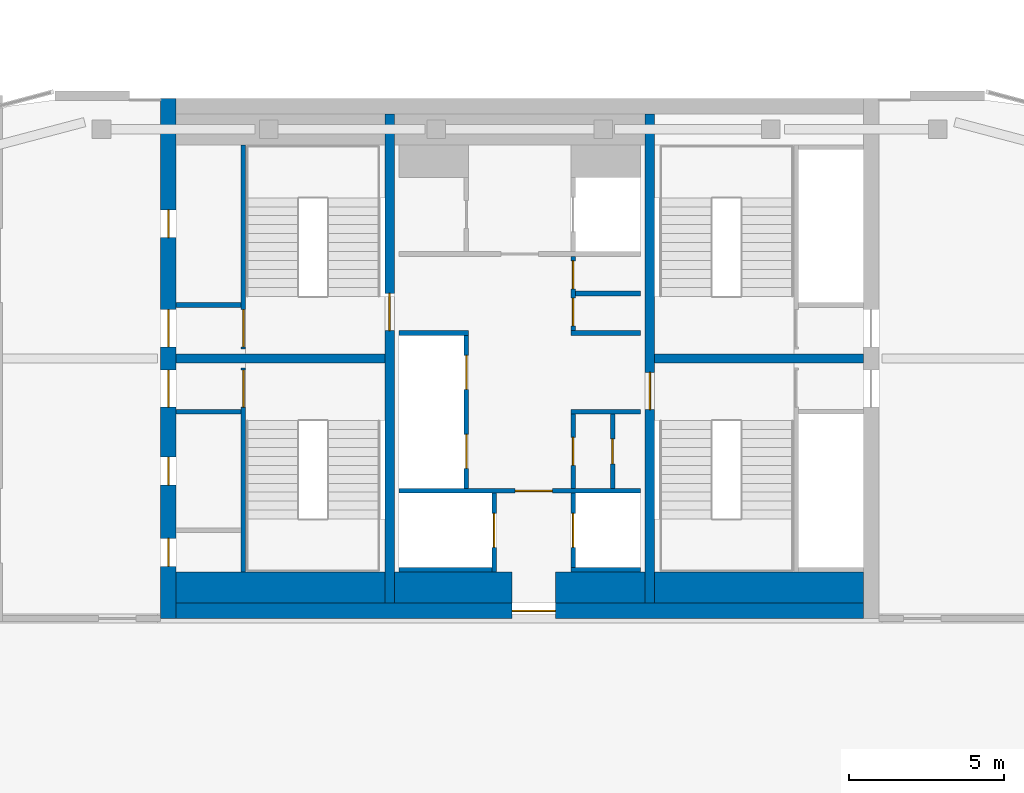
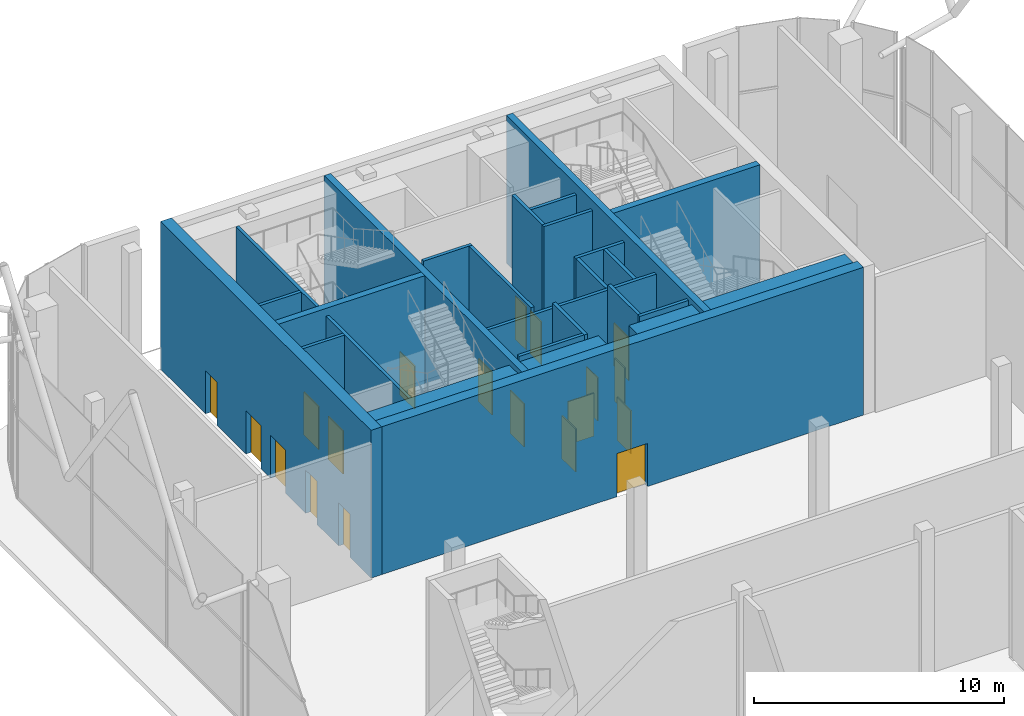
# One storey, part 21 of 25: 25 walls, 19 doors, 19 openings.
"""IFC4 building model written with IfcOpenShell, lengths in metres."""

import ifcopenshell
import ifcopenshell.guid

model = None  # the IFC model being written
_history = None  # IfcOwnerHistory: only IFC2X3 demands one
_inside = {}  # id of a spatial element -> (the spatial element, [elements in it])
_under = {}  # id of a project, library or spatial element -> (it, [spatial elements below it])
_declared = {}  # id of a project -> (the project, [libraries it declares])
_typed = {}  # id of a type object -> (the type object, [elements of that type])
_made_of = {}  # id of a material, layer set ... -> (it, [elements and type objects made of it])


def new_model(schema):
    """Start an empty IFC model of exactly this schema.

    Asked for "IFC4X3", IfcOpenShell would pick the latest addendum, in which some entities
    have other attributes; the version numbers below select the first issue.
    IFC2X3 requires an IfcOwnerHistory on every rooted entity: one is made here for all.
    """
    global model, _history
    if schema == "IFC4X3":
        model = ifcopenshell.file(schema_version=(4, 3, 0, 0))
    else:
        model = ifcopenshell.file(schema=schema)
    _inside.clear()
    _under.clear()
    _declared.clear()
    _typed.clear()
    _made_of.clear()
    _history = None
    if model.schema == "IFC2X3":
        org = make("IfcOrganization", Name="unknown")
        user = make(
            "IfcPersonAndOrganization",
            ThePerson=make("IfcPerson", FamilyName="unknown"),
            TheOrganization=org,
        )
        app = make(
            "IfcApplication",
            ApplicationDeveloper=org,
            Version="unknown",
            ApplicationFullName="unknown",
            ApplicationIdentifier="unknown",
        )
        _history = make(
            "IfcOwnerHistory",
            OwningUser=user,
            OwningApplication=app,
            ChangeAction="ADDED",
            CreationDate=0,
        )
    return model


def make(cls, **values):
    """One entity of the class cls with the attributes given. An attribute that is None is left unset."""
    return model.create_entity(
        cls, **{name: value for name, value in values.items() if value is not None}
    )


def rooted(cls, **values):
    """An entity with a GlobalId (a new one), such as an element, a storey or a relation."""
    return make(cls, GlobalId=ifcopenshell.guid.new(), OwnerHistory=_history, **values)


def si_unit(unit_type, name, prefix=None):
    """IfcSIUnit, for example si_unit("LENGTHUNIT", "METRE", prefix="MILLI")."""
    return make("IfcSIUnit", UnitType=unit_type, Prefix=prefix, Name=name)


def assignment(units):
    """IfcUnitAssignment: the units of a project."""
    return None if units is None else make("IfcUnitAssignment", Units=units)


def point(xyz):
    """IfcCartesianPoint."""
    return None if xyz is None else make("IfcCartesianPoint", Coordinates=xyz)


def direction(xyz):
    """IfcDirection."""
    return None if xyz is None else make("IfcDirection", DirectionRatios=xyz)


def frame(location, z_axis=None, x_axis=None):
    """IfcAxis2Placement3D, a coordinate frame: its origin and axes. An axis left out is left unset."""
    return make(
        "IfcAxis2Placement3D",
        Location=point(location),
        Axis=direction(z_axis),
        RefDirection=direction(x_axis),
    )


def frame_2d(location, x_axis=None):
    """IfcAxis2Placement2D, a coordinate frame in the plane: its origin and x axis."""
    return make(
        "IfcAxis2Placement2D", Location=point(location), RefDirection=direction(x_axis)
    )


def origin():
    """The frame at (0, 0, 0) with its axes left unset."""
    return frame((0.0, 0.0, 0.0))


def place(relative_to, where):
    """IfcLocalPlacement: puts the frame where relative to a parent placement (None: the world)."""
    return make(
        "IfcLocalPlacement", PlacementRelTo=relative_to, RelativePlacement=where
    )


def context(
    kind, dimensions, precision=None, world=None, true_north=None, identifier=None
):
    """IfcGeometricRepresentationContext, for example the 3D "Model" context."""
    return make(
        "IfcGeometricRepresentationContext",
        ContextIdentifier=identifier,
        ContextType=kind,
        CoordinateSpaceDimension=dimensions,
        Precision=precision,
        WorldCoordinateSystem=world,
        TrueNorth=true_north,
    )


def subcontext(parent, identifier, kind, view, scale=None):
    """IfcGeometricRepresentationSubContext, for example "Body" below "Model"."""
    return make(
        "IfcGeometricRepresentationSubContext",
        ContextIdentifier=identifier,
        ContextType=kind,
        ParentContext=parent,
        TargetScale=scale,
        TargetView=view,
    )


def project(units=None, contexts=None):
    """IfcProject with its units and contexts."""
    return rooted(
        "IfcProject",
        Name="project",
        RepresentationContexts=contexts,
        UnitsInContext=assignment(units),
    )


def spatial(cls, under=None, at=None, **own):
    """A site, building, storey or space (cls), placed at a placement, below another one or the project."""
    s = rooted(cls, ObjectPlacement=at, **own)
    if under is not None:
        _under.setdefault(under.id(), (under, []))[1].append(s)
    return s


def profile(cls, at=None, kind="AREA", **sizes):
    """A parametric profile (cls). Its sizes go by their IFC names, for example OverallWidth=200.0."""
    return make(cls, ProfileType=kind, Position=at, **sizes)


def rectangle(**sizes):
    """IfcRectangleProfileDef."""
    return profile("IfcRectangleProfileDef", **sizes)


def extrude(swept, where, along, depth):
    """IfcExtrudedAreaSolid: the profile swept, set in the frame where, extruded along a direction by depth."""
    return make(
        "IfcExtrudedAreaSolid",
        SweptArea=swept,
        Position=where,
        ExtrudedDirection=direction(along),
        Depth=depth,
    )


def shape(context_of_items, identifier, shape_type, items):
    """IfcShapeRepresentation: the items that make up one representation, for example the "Body"."""
    return make(
        "IfcShapeRepresentation",
        ContextOfItems=context_of_items,
        RepresentationIdentifier=identifier,
        RepresentationType=shape_type,
        Items=items,
    )


def material(Name=None, Category=None):
    """IfcMaterial."""
    return make("IfcMaterial", Name=Name, Category=Category)


def layer(
    of_material, thickness, ventilated=None, Name=None, Category=None, Priority=None
):
    """IfcMaterialLayer: one layer of a wall or slab, of a material (None: an air gap)."""
    return make(
        "IfcMaterialLayer",
        Material=of_material,
        LayerThickness=thickness,
        IsVentilated=ventilated,
        Name=Name,
        Category=Category,
        Priority=Priority,
    )


def layer_set(layers, Name=None):
    """IfcMaterialLayerSet."""
    return make("IfcMaterialLayerSet", MaterialLayers=layers, LayerSetName=Name)


def made_of(thing, what):
    """Note that an element or type object is made of a material, layer set ...; save() writes the relation."""
    if what is not None:
        _made_of.setdefault(what.id(), (what, []))[1].append(thing)
    return thing


def type_object(cls, material=None, **own):
    """A type object (cls), such as IfcWallType, which elements share."""
    return made_of(rooted(cls, **own), material)


def element(
    cls,
    number,
    at=None,
    inside=None,
    cuts=None,
    type_object=None,
    material=None,
    context=None,
    identifier="Body",
    shape_type=None,
    held_by="IfcProductDefinitionShape",
    body=None,
    shapes=None,
    **own,
):
    """One element of the class cls, such as IfcWall. Its Tag is "e" and its number.

    at: its placement. inside: the storey or other place that contains it. cuts: it is an
    opening in that element (IfcRelVoidsElement). A single representation is given by context,
    identifier, shape_type and body (its items); several are given by shapes. held_by: the class
    of the entity that holds the representations. save() writes the other relations.
    """
    e = rooted(cls, Tag="e%d" % number, ObjectPlacement=at, **own)
    if body is not None:
        shapes = [shape(context, identifier, shape_type, body)]
    if shapes is not None:
        e.Representation = make(held_by, Representations=shapes)
    if inside is not None:
        _inside.setdefault(inside.id(), (inside, []))[1].append(e)
    if cuts is not None:
        rooted(
            "IfcRelVoidsElement", RelatingBuildingElement=cuts, RelatedOpeningElement=e
        )
    if type_object is not None:
        _typed.setdefault(type_object.id(), (type_object, []))[1].append(e)
    return made_of(e, material)


def fill(opening, filler):
    """IfcRelFillsElement: the door or window that sits in an opening."""
    return rooted(
        "IfcRelFillsElement",
        RelatingOpeningElement=opening,
        RelatedBuildingElement=filler,
    )


def aggregate(whole, parts):
    """IfcRelAggregates: a whole, such as a stair, and the parts it consists of."""
    return rooted("IfcRelAggregates", RelatingObject=whole, RelatedObjects=parts)


def save(model, path):
    """Write the relations noted so far, then the file.

    IfcRelAggregates (storeys below a building ...), IfcRelContainedInSpatialStructure (elements
    in a storey), IfcRelDefinesByType, IfcRelAssociatesMaterial and IfcRelDeclares: one each for
    every whole, place, type object, material and project.
    """
    for whole, parts in _under.values():
        aggregate(whole, parts)
    for where, things in _inside.values():
        rooted(
            "IfcRelContainedInSpatialStructure",
            RelatedElements=things,
            RelatingStructure=where,
        )
    for kind, things in _typed.values():
        rooted("IfcRelDefinesByType", RelatedObjects=things, RelatingType=kind)
    for what, things in _made_of.values():
        rooted("IfcRelAssociatesMaterial", RelatedObjects=things, RelatingMaterial=what)
    for by, libraries in _declared.values():
        rooted("IfcRelDeclares", RelatingContext=by, RelatedDefinitions=libraries)
    model.write(path)


model = new_model("IFC4")

# Units and contexts
model_context = context("Model", 3, precision=1e-05, world=origin(), true_north=direction((0.0, 1.0)))
body_context = subcontext(model_context, "Body", "Model", "MODEL_VIEW")
ifc_project = project(units=[si_unit("LENGTHUNIT", "METRE"), si_unit("AREAUNIT", "SQUARE_METRE"), si_unit("VOLUMEUNIT", "CUBIC_METRE"), si_unit("PLANEANGLEUNIT", "RADIAN"), si_unit("MASSUNIT", "GRAM", prefix="KILO")], contexts=[model_context])

# Site, building, storey
site_placement = place(None, origin())
site = spatial("IfcSite", under=ifc_project, at=site_placement, CompositionType="ELEMENT")
building_placement = place(site_placement, origin())
building = spatial("IfcBuilding", under=site, at=building_placement, Name="Marenta Gate Hotel Tower", CompositionType="ELEMENT")
storey_placement = place(building_placement, frame((0.0, 0.0, 281.300048828125)))
storey = spatial("IfcBuildingStorey", under=building, at=storey_placement, Name="L65", CompositionType="ELEMENT", Elevation=281.300048828125)

# Walls
ifc_material_1 = material(Name="Concrete C40", Category="concrete")
ifc_layer_1 = layer(ifc_material_1, 1.0)
ifc_layer_set_1 = layer_set([ifc_layer_1], Name="Concrete C40")
wall_type_1 = type_object("IfcWallType", Name="Core lining wall 1000 REI 180", PredefinedType="PARTITIONING", material=ifc_layer_set_1)
wall_1_placement = place(storey_placement, frame((-11.10009765625, 1.0, 0.0), z_axis=(0.0, 0.0, 1.0), x_axis=(1.0, 0.0, 0.0)))
element("IfcWall", 1, at=wall_1_placement, inside=storey, type_object=wall_type_1, Name="L65-CP-LN-S1", PredefinedType="PARTITIONING", context=body_context, shape_type="SweptSolid", body=[
    extrude(rectangle(XDim=10.85009765625, YDim=1.0, at=frame_2d((5.425048828125, 0.0))), origin(), (0.0, 0.0, 1.0), 6.93994140625),
])
wall_2_placement = place(storey_placement, frame((1.14990234375, 1.0, 0.0), z_axis=(0.0, 0.0, 1.0), x_axis=(1.0, 0.0, 0.0)))
element("IfcWall", 2, at=wall_2_placement, inside=storey, type_object=wall_type_1, Name="L65-CP-LN-S2", PredefinedType="PARTITIONING", context=body_context, shape_type="SweptSolid", body=[
    extrude(rectangle(XDim=9.9501953125, YDim=1.0, at=frame_2d((4.97509765625, 0.0))), origin(), (0.0, 0.0, 1.0), 6.93994140625),
])

# Wall, opening, door
ifc_material_2 = material(Name="Concrete blockwork", Category="masonry")
ifc_layer_2 = layer(ifc_material_2, 0.14990234375)
ifc_layer_set_2 = layer_set([ifc_layer_2], Name="Concrete blockwork")
wall_type_2 = type_object("IfcWallType", Name="Core lobby partition 150 REI 180", PredefinedType="PARTITIONING", material=ifc_layer_set_2)
wall_3_placement = place(storey_placement, frame((-3.89990234375, 4.125, 0.0), z_axis=(0.0, 0.0, 1.0), x_axis=(1.0, 0.0, 0.0)))
wall_3 = element("IfcWall", 3, at=wall_3_placement, inside=storey, type_object=wall_type_2, Name="L65-CP-CW-S", PredefinedType="PARTITIONING", context=body_context, shape_type="SweptSolid", body=[
    extrude(rectangle(XDim=7.7998046875, YDim=0.14990234375, at=frame_2d((3.89990234375, 0.0))), origin(), (0.0, 0.0, 1.0), 6.93994140625),
])
opening_1_placement = place(wall_3_placement, frame((3.75, 0.0, 0.0)))
opening_1 = element("IfcOpeningElement", 4, at=opening_1_placement, cuts=wall_3, Name="Opening FD-FFS", PredefinedType="OPENING", context=body_context, shape_type="SweptSolid", body=[
    extrude(rectangle(XDim=1.199951171875, YDim=2.10009765625, at=frame_2d((0.60009765625, 1.050048828125))), frame((0.0, 0.074951171875, 0.0), z_axis=(0.0, -1.0, 0.0), x_axis=(1.0, 0.0, 0.0)), (0.0, 0.0, 1.0), 0.14990234375),
])
ifc_material_3 = material(Name="Steel", Category="steel")
door_type_1 = type_object("IfcDoorType", Name="Core lobby door 1200x2100 FD60", OperationType="SINGLE_SWING_LEFT", PredefinedType="DOOR", material=ifc_material_3)
door_1_placement = place(opening_1_placement, origin())
door_1 = element("IfcDoor", 5, at=door_1_placement, inside=storey, type_object=door_type_1, Name="FD-FFS", OperationType="SINGLE_SWING_LEFT", OverallHeight=2.10009765625, OverallWidth=1.199951171875, PredefinedType="DOOR", context=body_context, shape_type="SweptSolid", body=[
    extrude(rectangle(XDim=1.199951171875, YDim=2.10009765625, at=frame_2d((0.60009765625, 1.050048828125))), frame((0.0, 0.02490234375, 0.0), z_axis=(0.0, -1.0, 0.0), x_axis=(1.0, 0.0, 0.0)), (0.0, 0.0, 1.0), 0.050048828125),
])
fill(opening_1, door_1)

# Walls
ifc_material_4 = material(Name="Concrete blockwork", Category="masonry")
ifc_layer_3 = layer(ifc_material_4, 0.14990234375)
ifc_layer_set_3 = layer_set([ifc_layer_3], Name="Concrete blockwork")
wall_type_3 = type_object("IfcWallType", Name="Core room partition 150 REI 180", PredefinedType="PARTITIONING", material=ifc_layer_set_3)
for number, where, z_axis, x_axis, name in (
    (6, (-11.10009765625, 6.675048828125, 0.0), (0.0, 0.0, 1.0), (1.0, 0.0, 0.0), "L65-CP-SW-WS-2"),
    (7, (-11.10009765625, 10.125, 0.0), (0.0, 0.0, 1.0), (1.0, 0.0, 0.0), "L65-CP-SW-WN-2"),
):
    element("IfcWall", number, at=place(storey_placement, frame(where, z_axis=z_axis, x_axis=x_axis)), inside=storey, type_object=wall_type_3, Name=name, PredefinedType="PARTITIONING", context=body_context, shape_type="SweptSolid", body=[
        extrude(rectangle(XDim=2.10009765625, YDim=0.14990234375, at=frame_2d((1.050048828125, 0.0))), origin(), (0.0, 0.0, 1.0), 6.93994140625),
    ])
for number, where, z_axis, x_axis, name in (
    (8, (1.64990234375, 6.675048828125, 0.0), (0.0, 0.0, 1.0), (1.0, 0.0, 0.0), "L65-CP-CE-sep1"),
    (9, (1.64990234375, 9.22509765625, 0.0), (0.0, 0.0, 1.0), (1.0, 0.0, 0.0), "L65-CP-CE-sep2"),
):
    element("IfcWall", number, at=place(storey_placement, frame(where, z_axis=z_axis, x_axis=x_axis)), inside=storey, type_object=wall_type_3, Name=name, PredefinedType="PARTITIONING", context=body_context, shape_type="SweptSolid", body=[
        extrude(rectangle(XDim=2.25, YDim=0.14990234375, at=frame_2d((1.125, 0.0))), origin(), (0.0, 0.0, 1.0), 6.93994140625),
    ])

# Wall, opening, door
wall_4_placement = place(storey_placement, frame((1.72509765625, 4.199951171875, 0.0), z_axis=(0.0, 0.0, 1.0), x_axis=(0.0, 1.0, 0.0)))
wall_4 = element("IfcWall", 10, at=wall_4_placement, inside=storey, type_object=wall_type_3, Name="L65-CP-CE-front-1", PredefinedType="PARTITIONING", context=body_context, shape_type="SweptSolid", body=[
    extrude(rectangle(XDim=2.400146484375, YDim=0.14990234375, at=frame_2d((1.2001953125, 0.0))), origin(), (0.0, 0.0, 1.0), 6.93994140625),
])
opening_2_placement = place(wall_4_placement, frame((0.75, 0.0, 0.0)))
opening_2 = element("IfcOpeningElement", 11, at=opening_2_placement, cuts=wall_4, Name="Opening RD-CE-1a", PredefinedType="OPENING", context=body_context, shape_type="SweptSolid", body=[
    extrude(rectangle(XDim=0.89990234375, YDim=2.10009765625, at=frame_2d((0.449951171875, 1.050048828125))), frame((0.0, 0.074951171875, 0.0), z_axis=(0.0, -1.0, 0.0), x_axis=(1.0, 0.0, 0.0)), (0.0, 0.0, 1.0), 0.14990234375),
])
ifc_material_5 = material(Name="Steel", Category="steel")
door_type_2 = type_object("IfcDoorType", Name="Core service room door 900x2100 FD30S", OperationType="SINGLE_SWING_LEFT", PredefinedType="DOOR", material=ifc_material_5)
door_2_placement = place(opening_2_placement, origin())
door_2 = element("IfcDoor", 12, at=door_2_placement, inside=storey, type_object=door_type_2, Name="RD-CE-1a", OperationType="SINGLE_SWING_LEFT", OverallHeight=2.10009765625, OverallWidth=0.89990234375, PredefinedType="DOOR", context=body_context, shape_type="SweptSolid", body=[
    extrude(rectangle(XDim=0.89990234375, YDim=2.10009765625, at=frame_2d((0.449951171875, 1.050048828125))), frame((0.0, 0.02490234375, 0.0), z_axis=(0.0, -1.0, 0.0), x_axis=(1.0, 0.0, 0.0)), (0.0, 0.0, 1.0), 0.050048828125),
])
fill(opening_2, door_2)

# Wall, openings, doors
wall_5_placement = place(storey_placement, frame((1.72509765625, 9.300048828125, 0.0), z_axis=(0.0, 0.0, 1.0), x_axis=(0.0, 1.0, 0.0)))
wall_5 = element("IfcWall", 13, at=wall_5_placement, inside=storey, type_object=wall_type_3, Name="L65-CP-CE-front-2", PredefinedType="PARTITIONING", context=body_context, shape_type="SweptSolid", body=[
    extrude(rectangle(XDim=2.39990234375, YDim=0.14990234375, at=frame_2d((1.199951171875, 0.0))), origin(), (0.0, 0.0, 1.0), 6.93994140625),
])
opening_3_placement = place(wall_5_placement, frame((0.14990234375, 0.0, 0.0)))
opening_3 = element("IfcOpeningElement", 14, at=opening_3_placement, cuts=wall_5, Name="Opening RD-CE-2a", PredefinedType="OPENING", context=body_context, shape_type="SweptSolid", body=[
    extrude(rectangle(XDim=0.89990234375, YDim=2.10009765625, at=frame_2d((0.449951171875, 1.050048828125))), frame((0.0, 0.074951171875, 0.0), z_axis=(0.0, -1.0, 0.0), x_axis=(1.0, 0.0, 0.0)), (0.0, 0.0, 1.0), 0.14990234375),
])
opening_4_placement = place(wall_5_placement, frame((1.35009765625, 0.0, 0.0)))
opening_4 = element("IfcOpeningElement", 15, at=opening_4_placement, cuts=wall_5, Name="Opening RD-CE-2b-B", PredefinedType="OPENING", context=body_context, shape_type="SweptSolid", body=[
    extrude(rectangle(XDim=0.89990234375, YDim=2.10009765625, at=frame_2d((0.449951171875, 1.050048828125))), frame((0.0, 0.074951171875, 0.0), z_axis=(0.0, -1.0, 0.0), x_axis=(1.0, 0.0, 0.0)), (0.0, 0.0, 1.0), 0.14990234375),
])
door_3_placement = place(opening_3_placement, origin())
door_3 = element("IfcDoor", 16, at=door_3_placement, inside=storey, type_object=door_type_2, Name="RD-CE-2a", OperationType="SINGLE_SWING_LEFT", OverallHeight=2.10009765625, OverallWidth=0.89990234375, PredefinedType="DOOR", context=body_context, shape_type="SweptSolid", body=[
    extrude(rectangle(XDim=0.89990234375, YDim=2.10009765625, at=frame_2d((0.449951171875, 1.050048828125))), frame((0.0, 0.02490234375, 0.0), z_axis=(0.0, -1.0, 0.0), x_axis=(1.0, 0.0, 0.0)), (0.0, 0.0, 1.0), 0.050048828125),
])
fill(opening_3, door_3)
door_4_placement = place(opening_4_placement, origin())
door_4 = element("IfcDoor", 17, at=door_4_placement, inside=storey, type_object=door_type_2, Name="RD-CE-2b-B", OperationType="SINGLE_SWING_LEFT", OverallHeight=2.10009765625, OverallWidth=0.89990234375, PredefinedType="DOOR", context=body_context, shape_type="SweptSolid", body=[
    extrude(rectangle(XDim=0.89990234375, YDim=2.10009765625, at=frame_2d((0.449951171875, 1.050048828125))), frame((0.0, 0.02490234375, 0.0), z_axis=(0.0, -1.0, 0.0), x_axis=(1.0, 0.0, 0.0)), (0.0, 0.0, 1.0), 0.050048828125),
])
fill(opening_4, door_4)

# Wall, opening, door
wall_6_placement = place(storey_placement, frame((3.0, 4.199951171875, 0.0), z_axis=(0.0, 0.0, 1.0), x_axis=(0.0, 1.0, 0.0)))
wall_6 = element("IfcWall", 18, at=wall_6_placement, inside=storey, type_object=wall_type_3, Name="L65-CP-CE-RW-1", PredefinedType="PARTITIONING", context=body_context, shape_type="SweptSolid", body=[
    extrude(rectangle(XDim=2.400146484375, YDim=0.14990234375, at=frame_2d((1.2001953125, 0.0))), origin(), (0.0, 0.0, 1.0), 6.93994140625),
])
opening_5_placement = place(wall_6_placement, frame((0.800048828125, 0.0, 0.0)))
opening_5 = element("IfcOpeningElement", 19, at=opening_5_placement, cuts=wall_6, Name="Opening RD-CE-1b-A", PredefinedType="OPENING", context=body_context, shape_type="SweptSolid", body=[
    extrude(rectangle(XDim=0.800048828125, YDim=2.10009765625, at=frame_2d((0.39990234375, 1.050048828125))), frame((0.0, 0.074951171875, 0.0), z_axis=(0.0, -1.0, 0.0), x_axis=(1.0, 0.0, 0.0)), (0.0, 0.0, 1.0), 0.14990234375),
])
ifc_material_6 = material(Name="Steel", Category="steel")
door_type_3 = type_object("IfcDoorType", Name="Core riser door 800x2100 FD60", OperationType="SINGLE_SWING_LEFT", PredefinedType="DOOR", material=ifc_material_6)
door_5_placement = place(opening_5_placement, origin())
door_5 = element("IfcDoor", 20, at=door_5_placement, inside=storey, type_object=door_type_3, Name="RD-CE-1b-A", OperationType="SINGLE_SWING_LEFT", OverallHeight=2.10009765625, OverallWidth=0.800048828125, PredefinedType="DOOR", context=body_context, shape_type="SweptSolid", body=[
    extrude(rectangle(XDim=0.800048828125, YDim=2.10009765625, at=frame_2d((0.39990234375, 1.050048828125))), frame((0.0, 0.02490234375, 0.0), z_axis=(0.0, -1.0, 0.0), x_axis=(1.0, 0.0, 0.0)), (0.0, 0.0, 1.0), 0.050048828125),
])
fill(opening_5, door_5)

# Wall
wall_7_placement = place(storey_placement, frame((1.800048828125, 10.5, 0.0), z_axis=(0.0, 0.0, 1.0), x_axis=(1.0, 0.0, 0.0)))
element("IfcWall", 21, at=wall_7_placement, inside=storey, type_object=wall_type_3, Name="L65-CP-CE-RW-2", PredefinedType="PARTITIONING", context=body_context, shape_type="SweptSolid", body=[
    extrude(rectangle(XDim=2.099853515625, YDim=0.14990234375, at=frame_2d((1.0498046875, 0.0))), origin(), (0.0, 0.0, 1.0), 6.93994140625),
])

# Wall, opening, door
ifc_material_7 = material(Name="Concrete C40", Category="concrete")
ifc_layer_4 = layer(ifc_material_7, 0.14990234375)
ifc_layer_set_4 = layer_set([ifc_layer_4], Name="Concrete C40")
wall_type_4 = type_object("IfcWallType", Name="Core shaft wall 150 REI 180", PredefinedType="SHEAR", material=ifc_layer_set_4)
wall_8_placement = place(storey_placement, frame((-0.824951171875, 1.5, 0.0), z_axis=(0.0, 0.0, 1.0), x_axis=(0.0, 1.0, 0.0)))
wall_8 = element("IfcWall", 22, at=wall_8_placement, inside=storey, type_object=wall_type_4, Name="L65-SHF-CW-W-ff", PredefinedType="SHEAR", context=body_context, shape_type="SweptSolid", body=[
    extrude(rectangle(XDim=2.550048828125, YDim=0.14990234375, at=frame_2d((1.27490234375, 0.0))), origin(), (0.0, 0.0, 1.0), 7.199951171875),
])
opening_6_placement = place(wall_8_placement, frame((0.800048828125, 0.0, 0.0)))
opening_6 = element("IfcOpeningElement", 23, at=opening_6_placement, cuts=wall_8, Name="Opening LD-FF1", PredefinedType="OPENING", context=body_context, shape_type="SweptSolid", body=[
    extrude(rectangle(XDim=1.10009765625, YDim=2.10009765625, at=frame_2d((0.550048828125, 1.050048828125))), frame((0.0, 0.074951171875, 0.0), z_axis=(0.0, -1.0, 0.0), x_axis=(1.0, 0.0, 0.0)), (0.0, 0.0, 1.0), 0.14990234375),
])
ifc_material_8 = material(Name="Steel", Category="steel")
door_type_4 = type_object("IfcDoorType", Name="Core lift landing door 1100x2100 E 60", OperationType="SLIDING_TO_LEFT", PredefinedType="DOOR", material=ifc_material_8)
door_6_placement = place(opening_6_placement, origin())
door_6 = element("IfcDoor", 24, at=door_6_placement, inside=storey, type_object=door_type_4, Name="LD-FF1", OperationType="SLIDING_TO_LEFT", OverallHeight=2.10009765625, OverallWidth=1.10009765625, PredefinedType="DOOR", context=body_context, shape_type="SweptSolid", body=[
    extrude(rectangle(XDim=1.10009765625, YDim=2.10009765625, at=frame_2d((0.550048828125, 1.050048828125))), frame((0.0, 0.02490234375, 0.0), z_axis=(0.0, -1.0, 0.0), x_axis=(1.0, 0.0, 0.0)), (0.0, 0.0, 1.0), 0.050048828125),
])
fill(opening_6, door_6)

# Wall
wall_9_placement = place(storey_placement, frame((-3.89990234375, 1.574951171875, 0.0), z_axis=(0.0, 0.0, 1.0), x_axis=(1.0, 0.0, 0.0)))
element("IfcWall", 25, at=wall_9_placement, inside=storey, type_object=wall_type_4, Name="L65-SHF-CW-W-ffs", PredefinedType="SHEAR", context=body_context, shape_type="SweptSolid", body=[
    extrude(rectangle(XDim=3.0, YDim=0.14990234375, at=frame_2d((1.5, 0.0))), origin(), (0.0, 0.0, 1.0), 7.199951171875),
])

# Wall, openings, doors
wall_10_placement = place(storey_placement, frame((-1.72509765625, 4.199951171875, 0.0), z_axis=(0.0, 0.0, 1.0), x_axis=(0.0, 1.0, 0.0)))
wall_10 = element("IfcWall", 26, at=wall_10_placement, inside=storey, type_object=wall_type_4, Name="L65-SHF-CW-W-front", PredefinedType="SHEAR", context=body_context, shape_type="SweptSolid", body=[
    extrude(rectangle(XDim=4.949951171875, YDim=0.14990234375, at=frame_2d((2.47509765625, 0.0))), origin(), (0.0, 0.0, 1.0), 7.199951171875),
])
opening_7_placement = place(wall_10_placement, frame((0.64990234375, 0.0, 0.0)))
opening_7 = element("IfcOpeningElement", 27, at=opening_7_placement, cuts=wall_10, Name="Opening LD-OB1", PredefinedType="OPENING", context=body_context, shape_type="SweptSolid", body=[
    extrude(rectangle(XDim=1.10009765625, YDim=2.10009765625, at=frame_2d((0.550048828125, 1.050048828125))), frame((0.0, 0.074951171875, 0.0), z_axis=(0.0, -1.0, 0.0), x_axis=(1.0, 0.0, 0.0)), (0.0, 0.0, 1.0), 0.14990234375),
])
opening_8_placement = place(wall_10_placement, frame((3.199951171875, 0.0, 0.0)))
opening_8 = element("IfcOpeningElement", 28, at=opening_8_placement, cuts=wall_10, Name="Opening LD-OB2", PredefinedType="OPENING", context=body_context, shape_type="SweptSolid", body=[
    extrude(rectangle(XDim=1.10009765625, YDim=2.10009765625, at=frame_2d((0.550048828125, 1.050048828125))), frame((0.0, 0.074951171875, 0.0), z_axis=(0.0, -1.0, 0.0), x_axis=(1.0, 0.0, 0.0)), (0.0, 0.0, 1.0), 0.14990234375),
])
door_7_placement = place(opening_7_placement, origin())
door_7 = element("IfcDoor", 29, at=door_7_placement, inside=storey, type_object=door_type_4, Name="LD-OB1", OperationType="SLIDING_TO_LEFT", OverallHeight=2.10009765625, OverallWidth=1.10009765625, PredefinedType="DOOR", context=body_context, shape_type="SweptSolid", body=[
    extrude(rectangle(XDim=1.10009765625, YDim=2.10009765625, at=frame_2d((0.550048828125, 1.050048828125))), frame((0.0, 0.02490234375, 0.0), z_axis=(0.0, -1.0, 0.0), x_axis=(1.0, 0.0, 0.0)), (0.0, 0.0, 1.0), 0.050048828125),
])
fill(opening_7, door_7)
door_8_placement = place(opening_8_placement, origin())
door_8 = element("IfcDoor", 30, at=door_8_placement, inside=storey, type_object=door_type_4, Name="LD-OB2", OperationType="SLIDING_TO_LEFT", OverallHeight=2.10009765625, OverallWidth=1.10009765625, PredefinedType="DOOR", context=body_context, shape_type="SweptSolid", body=[
    extrude(rectangle(XDim=1.10009765625, YDim=2.10009765625, at=frame_2d((0.550048828125, 1.050048828125))), frame((0.0, 0.02490234375, 0.0), z_axis=(0.0, -1.0, 0.0), x_axis=(1.0, 0.0, 0.0)), (0.0, 0.0, 1.0), 0.050048828125),
])
fill(opening_8, door_8)

# Wall
wall_11_placement = place(storey_placement, frame((-3.89990234375, 9.22509765625, 0.0), z_axis=(0.0, 0.0, 1.0), x_axis=(1.0, 0.0, 0.0)))
element("IfcWall", 31, at=wall_11_placement, inside=storey, type_object=wall_type_4, Name="L65-SHF-CW-W-sep", PredefinedType="SHEAR", context=body_context, shape_type="SweptSolid", body=[
    extrude(rectangle(XDim=2.25, YDim=0.14990234375, at=frame_2d((1.125, 0.0))), origin(), (0.0, 0.0, 1.0), 7.199951171875),
])

# Wall, opening, door
wall_12_placement = place(storey_placement, frame((1.72509765625, 1.64990234375, 0.0), z_axis=(0.0, 0.0, 1.0), x_axis=(0.0, 1.0, 0.0)))
wall_12 = element("IfcWall", 32, at=wall_12_placement, inside=storey, type_object=wall_type_4, Name="L65-SHF-CE-S-ls", PredefinedType="SHEAR", context=body_context, shape_type="SweptSolid", body=[
    extrude(rectangle(XDim=2.400146484375, YDim=0.14990234375, at=frame_2d((1.2001953125, 0.0))), origin(), (0.0, 0.0, 1.0), 7.199951171875),
])
opening_9_placement = place(wall_12_placement, frame((0.64990234375, 0.0, 0.0)))
opening_9 = element("IfcOpeningElement", 33, at=opening_9_placement, cuts=wall_12, Name="Opening LD-SV1", PredefinedType="OPENING", context=body_context, shape_type="SweptSolid", body=[
    extrude(rectangle(XDim=1.10009765625, YDim=2.10009765625, at=frame_2d((0.550048828125, 1.050048828125))), frame((0.0, 0.074951171875, 0.0), z_axis=(0.0, -1.0, 0.0), x_axis=(1.0, 0.0, 0.0)), (0.0, 0.0, 1.0), 0.14990234375),
])
door_9_placement = place(opening_9_placement, origin())
door_9 = element("IfcDoor", 34, at=door_9_placement, inside=storey, type_object=door_type_4, Name="LD-SV1", OperationType="SLIDING_TO_LEFT", OverallHeight=2.10009765625, OverallWidth=1.10009765625, PredefinedType="DOOR", context=body_context, shape_type="SweptSolid", body=[
    extrude(rectangle(XDim=1.10009765625, YDim=2.10009765625, at=frame_2d((0.550048828125, 1.050048828125))), frame((0.0, 0.02490234375, 0.0), z_axis=(0.0, -1.0, 0.0), x_axis=(1.0, 0.0, 0.0)), (0.0, 0.0, 1.0), 0.050048828125),
])
fill(opening_9, door_9)

# Wall
wall_13_placement = place(storey_placement, frame((1.64990234375, 1.574951171875, 0.0), z_axis=(0.0, 0.0, 1.0), x_axis=(1.0, 0.0, 0.0)))
element("IfcWall", 35, at=wall_13_placement, inside=storey, type_object=wall_type_4, Name="L65-SHF-CE-S-bot", PredefinedType="SHEAR", context=body_context, shape_type="SweptSolid", body=[
    extrude(rectangle(XDim=2.25, YDim=0.14990234375, at=frame_2d((1.125, 0.0))), origin(), (0.0, 0.0, 1.0), 7.199951171875),
])

# Wall, opening, door
ifc_material_9 = material(Name="Concrete C40", Category="concrete")
ifc_layer_5 = layer(ifc_material_9, 0.14990234375)
ifc_layer_set_5 = layer_set([ifc_layer_5], Name="Concrete C40")
wall_type_5 = type_object("IfcWallType", Name="Core stair enclosure wall 150 REI 180", PredefinedType="SHEAR", material=ifc_layer_set_5)
wall_14_placement = place(storey_placement, frame((-8.925048828125, 1.5, 0.0), z_axis=(0.0, 0.0, 1.0), x_axis=(0.0, 1.0, 0.0)))
wall_14 = element("IfcWall", 36, at=wall_14_placement, inside=storey, type_object=wall_type_5, Name="L65-SHF-SW-WS-3", PredefinedType="SHEAR", context=body_context, shape_type="SweptSolid", body=[
    extrude(rectangle(XDim=6.60009765625, YDim=0.14990234375, at=frame_2d((3.300048828125, 0.0))), origin(), (0.0, 0.0, 1.0), 6.93994140625),
])
opening_10_placement = place(wall_14_placement, frame((5.324951171875, 0.0, 0.0)))
opening_10 = element("IfcOpeningElement", 37, at=opening_10_placement, cuts=wall_14, Name="Opening SD-WS", PredefinedType="OPENING", context=body_context, shape_type="SweptSolid", body=[
    extrude(rectangle(XDim=1.199951171875, YDim=2.10009765625, at=frame_2d((0.60009765625, 1.050048828125))), frame((0.0, 0.074951171875, 0.0), z_axis=(0.0, -1.0, 0.0), x_axis=(1.0, 0.0, 0.0)), (0.0, 0.0, 1.0), 0.14990234375),
])
ifc_material_10 = material(Name="Steel", Category="steel")
door_type_5 = type_object("IfcDoorType", Name="Core stair door 1200x2100 FD60", OperationType="SINGLE_SWING_LEFT", PredefinedType="DOOR", material=ifc_material_10)
door_10_placement = place(opening_10_placement, origin())
door_10 = element("IfcDoor", 38, at=door_10_placement, inside=storey, type_object=door_type_5, Name="SD-WS", OperationType="SINGLE_SWING_LEFT", OverallHeight=2.10009765625, OverallWidth=1.199951171875, PredefinedType="DOOR", context=body_context, shape_type="SweptSolid", body=[
    extrude(rectangle(XDim=1.199951171875, YDim=2.10009765625, at=frame_2d((0.60009765625, 1.050048828125))), frame((0.0, 0.02490234375, 0.0), z_axis=(0.0, -1.0, 0.0), x_axis=(1.0, 0.0, 0.0)), (0.0, 0.0, 1.0), 0.050048828125),
])
fill(opening_10, door_10)

wall_15_placement = place(storey_placement, frame((-8.925048828125, 8.699951171875, 0.0), z_axis=(0.0, 0.0, 1.0), x_axis=(0.0, 1.0, 0.0)))
wall_15 = element("IfcWall", 39, at=wall_15_placement, inside=storey, type_object=wall_type_5, Name="L65-SHF-SW-WN-3", PredefinedType="SHEAR", context=body_context, shape_type="SweptSolid", body=[
    extrude(rectangle(XDim=6.60009765625, YDim=0.14990234375, at=frame_2d((3.300048828125, 0.0))), origin(), (0.0, 0.0, 1.0), 6.93994140625),
])
opening_11_placement = place(wall_15_placement, frame((0.074951171875, 0.0, 0.0)))
opening_11 = element("IfcOpeningElement", 40, at=opening_11_placement, cuts=wall_15, Name="Opening SD-WN", PredefinedType="OPENING", context=body_context, shape_type="SweptSolid", body=[
    extrude(rectangle(XDim=1.199951171875, YDim=2.10009765625, at=frame_2d((0.60009765625, 1.050048828125))), frame((0.0, 0.074951171875, 0.0), z_axis=(0.0, -1.0, 0.0), x_axis=(1.0, 0.0, 0.0)), (0.0, 0.0, 1.0), 0.14990234375),
])
door_11_placement = place(opening_11_placement, origin())
door_11 = element("IfcDoor", 41, at=door_11_placement, inside=storey, type_object=door_type_5, Name="SD-WN", OperationType="SINGLE_SWING_LEFT", OverallHeight=2.10009765625, OverallWidth=1.199951171875, PredefinedType="DOOR", context=body_context, shape_type="SweptSolid", body=[
    extrude(rectangle(XDim=1.199951171875, YDim=2.10009765625, at=frame_2d((0.60009765625, 1.050048828125))), frame((0.0, 0.02490234375, 0.0), z_axis=(0.0, -1.0, 0.0), x_axis=(1.0, 0.0, 0.0)), (0.0, 0.0, 1.0), 0.050048828125),
])
fill(opening_11, door_11)

# Wall, openings, doors
ifc_material_11 = material(Name="Concrete C50", Category="concrete")
ifc_layer_6 = layer(ifc_material_11, 0.5)
ifc_layer_set_6 = layer_set([ifc_layer_6], Name="Concrete C50")
wall_type_6 = type_object("IfcWallType", Name="Core wall 500 C50", PredefinedType="SHEAR", material=ifc_layer_set_6)
wall_16_placement = place(storey_placement, frame((-11.35009765625, 0.0, 0.0), z_axis=(0.0, 0.0, 1.0), x_axis=(0.0, 1.0, 0.0)))
wall_16 = element("IfcWall", 42, at=wall_16_placement, inside=storey, type_object=wall_type_6, Name="L65-CORE-W", PredefinedType="SHEAR", context=body_context, shape_type="SweptSolid", body=[
    extrude(rectangle(XDim=16.800048828125, YDim=0.5, at=frame_2d((8.39990234375, 0.0))), origin(), (0.0, 0.0, 1.0), 7.199951171875),
])
opening_12_placement = place(wall_16_placement, frame((1.6875, 0.0, 0.0)))
opening_12 = element("IfcOpeningElement", 43, at=opening_12_placement, cuts=wall_16, Name="Opening RD-WS-1", PredefinedType="OPENING", context=body_context, shape_type="SweptSolid", body=[
    extrude(rectangle(XDim=0.89990234375, YDim=2.10009765625, at=frame_2d((0.449951171875, 1.050048828125))), frame((0.0, 0.25, 0.0), z_axis=(0.0, -1.0, 0.0), x_axis=(1.0, 0.0, 0.0)), (0.0, 0.0, 1.0), 0.5),
])
opening_13_placement = place(wall_16_placement, frame((4.3125, 0.0, 0.0)))
opening_13 = element("IfcOpeningElement", 44, at=opening_13_placement, cuts=wall_16, Name="Opening RD-WS-2", PredefinedType="OPENING", context=body_context, shape_type="SweptSolid", body=[
    extrude(rectangle(XDim=0.89990234375, YDim=2.10009765625, at=frame_2d((0.449951171875, 1.050048828125))), frame((0.0, 0.25, 0.0), z_axis=(0.0, -1.0, 0.0), x_axis=(1.0, 0.0, 0.0)), (0.0, 0.0, 1.0), 0.5),
])
opening_14_placement = place(wall_16_placement, frame((6.824951171875, 0.0, 0.0)))
opening_14 = element("IfcOpeningElement", 45, at=opening_14_placement, cuts=wall_16, Name="Opening PD-WS", PredefinedType="OPENING", context=body_context, shape_type="SweptSolid", body=[
    extrude(rectangle(XDim=1.199951171875, YDim=2.10009765625, at=frame_2d((0.60009765625, 1.050048828125))), frame((0.0, 0.25, 0.0), z_axis=(0.0, -1.0, 0.0), x_axis=(1.0, 0.0, 0.0)), (0.0, 0.0, 1.0), 0.5),
])
opening_15_placement = place(wall_16_placement, frame((12.300048828125, 0.0, 0.0)))
opening_15 = element("IfcOpeningElement", 46, at=opening_15_placement, cuts=wall_16, Name="Opening RD-WN-1", PredefinedType="OPENING", context=body_context, shape_type="SweptSolid", body=[
    extrude(rectangle(XDim=0.89990234375, YDim=2.10009765625, at=frame_2d((0.449951171875, 1.050048828125))), frame((0.0, 0.25, 0.0), z_axis=(0.0, -1.0, 0.0), x_axis=(1.0, 0.0, 0.0)), (0.0, 0.0, 1.0), 0.5),
])
opening_16_placement = place(wall_16_placement, frame((8.77490234375, 0.0, 0.0)))
opening_16 = element("IfcOpeningElement", 47, at=opening_16_placement, cuts=wall_16, Name="Opening PD-WN", PredefinedType="OPENING", context=body_context, shape_type="SweptSolid", body=[
    extrude(rectangle(XDim=1.199951171875, YDim=2.10009765625, at=frame_2d((0.60009765625, 1.050048828125))), frame((0.0, 0.25, 0.0), z_axis=(0.0, -1.0, 0.0), x_axis=(1.0, 0.0, 0.0)), (0.0, 0.0, 1.0), 0.5),
])
door_12_placement = place(opening_14_placement, origin())
door_12 = element("IfcDoor", 48, at=door_12_placement, inside=storey, type_object=door_type_1, Name="PD-WS", OperationType="SINGLE_SWING_LEFT", OverallHeight=2.10009765625, OverallWidth=1.199951171875, PredefinedType="DOOR", context=body_context, shape_type="SweptSolid", body=[
    extrude(rectangle(XDim=1.199951171875, YDim=2.10009765625, at=frame_2d((0.60009765625, 1.050048828125))), frame((0.0, 0.02490234375, 0.0), z_axis=(0.0, -1.0, 0.0), x_axis=(1.0, 0.0, 0.0)), (0.0, 0.0, 1.0), 0.050048828125),
])
fill(opening_14, door_12)
door_13_placement = place(opening_16_placement, origin())
door_13 = element("IfcDoor", 49, at=door_13_placement, inside=storey, type_object=door_type_1, Name="PD-WN", OperationType="SINGLE_SWING_LEFT", OverallHeight=2.10009765625, OverallWidth=1.199951171875, PredefinedType="DOOR", context=body_context, shape_type="SweptSolid", body=[
    extrude(rectangle(XDim=1.199951171875, YDim=2.10009765625, at=frame_2d((0.60009765625, 1.050048828125))), frame((0.0, 0.02490234375, 0.0), z_axis=(0.0, -1.0, 0.0), x_axis=(1.0, 0.0, 0.0)), (0.0, 0.0, 1.0), 0.050048828125),
])
fill(opening_16, door_13)
door_14_placement = place(opening_12_placement, origin())
door_14 = element("IfcDoor", 50, at=door_14_placement, inside=storey, type_object=door_type_2, Name="RD-WS-1", OperationType="SINGLE_SWING_LEFT", OverallHeight=2.10009765625, OverallWidth=0.89990234375, PredefinedType="DOOR", context=body_context, shape_type="SweptSolid", body=[
    extrude(rectangle(XDim=0.89990234375, YDim=2.10009765625, at=frame_2d((0.449951171875, 1.050048828125))), frame((0.0, 0.02490234375, 0.0), z_axis=(0.0, -1.0, 0.0), x_axis=(1.0, 0.0, 0.0)), (0.0, 0.0, 1.0), 0.050048828125),
])
fill(opening_12, door_14)
door_15_placement = place(opening_13_placement, origin())
door_15 = element("IfcDoor", 51, at=door_15_placement, inside=storey, type_object=door_type_2, Name="RD-WS-2", OperationType="SINGLE_SWING_LEFT", OverallHeight=2.10009765625, OverallWidth=0.89990234375, PredefinedType="DOOR", context=body_context, shape_type="SweptSolid", body=[
    extrude(rectangle(XDim=0.89990234375, YDim=2.10009765625, at=frame_2d((0.449951171875, 1.050048828125))), frame((0.0, 0.02490234375, 0.0), z_axis=(0.0, -1.0, 0.0), x_axis=(1.0, 0.0, 0.0)), (0.0, 0.0, 1.0), 0.050048828125),
])
fill(opening_13, door_15)
door_16_placement = place(opening_15_placement, origin())
door_16 = element("IfcDoor", 52, at=door_16_placement, inside=storey, type_object=door_type_2, Name="RD-WN-1", OperationType="SINGLE_SWING_LEFT", OverallHeight=2.10009765625, OverallWidth=0.89990234375, PredefinedType="DOOR", context=body_context, shape_type="SweptSolid", body=[
    extrude(rectangle(XDim=0.89990234375, YDim=2.10009765625, at=frame_2d((0.449951171875, 1.050048828125))), frame((0.0, 0.02490234375, 0.0), z_axis=(0.0, -1.0, 0.0), x_axis=(1.0, 0.0, 0.0)), (0.0, 0.0, 1.0), 0.050048828125),
])
fill(opening_15, door_16)

# Wall, opening, door
wall_17_placement = place(storey_placement, frame((-11.10009765625, 0.25, 0.0), z_axis=(0.0, 0.0, 1.0), x_axis=(1.0, 0.0, 0.0)))
wall_17 = element("IfcWall", 53, at=wall_17_placement, inside=storey, type_object=wall_type_6, Name="L65-CORE-S", PredefinedType="SHEAR", context=body_context, shape_type="SweptSolid", body=[
    extrude(rectangle(XDim=22.2001953125, YDim=0.5, at=frame_2d((11.10009765625, 0.0))), origin(), (0.0, 0.0, 1.0), 7.199951171875),
])
opening_17_placement = place(wall_17_placement, frame((10.85009765625, 0.0, 0.0)))
opening_17 = element("IfcOpeningElement", 54, at=opening_17_placement, cuts=wall_17, Name="Opening RFD-S", PredefinedType="OPENING", context=body_context, shape_type="SweptSolid", body=[
    extrude(rectangle(XDim=1.39990234375, YDim=2.10009765625, at=frame_2d((0.699951171875, 1.050048828125))), frame((0.0, 0.25, 0.0), z_axis=(0.0, -1.0, 0.0), x_axis=(1.0, 0.0, 0.0)), (0.0, 0.0, 1.0), 0.5),
])
ifc_material_12 = material(Name="Steel", Category="steel")
door_type_6 = type_object("IfcDoorType", Name="Core lobby door 1400x2100 FD60", OperationType="SINGLE_SWING_LEFT", PredefinedType="DOOR", material=ifc_material_12)
door_17_placement = place(opening_17_placement, origin())
door_17 = element("IfcDoor", 55, at=door_17_placement, inside=storey, type_object=door_type_6, Name="RFD-S", OperationType="SINGLE_SWING_LEFT", OverallHeight=2.10009765625, OverallWidth=1.39990234375, PredefinedType="DOOR", context=body_context, shape_type="SweptSolid", body=[
    extrude(rectangle(XDim=1.39990234375, YDim=2.10009765625, at=frame_2d((0.699951171875, 1.050048828125))), frame((0.0, 0.02490234375, 0.0), z_axis=(0.0, -1.0, 0.0), x_axis=(1.0, 0.0, 0.0)), (0.0, 0.0, 1.0), 0.050048828125),
])
fill(opening_17, door_17)

ifc_material_13 = material(Name="Concrete C50", Category="concrete")
ifc_layer_7 = layer(ifc_material_13, 0.300048828125)
ifc_layer_set_7 = layer_set([ifc_layer_7], Name="Concrete C50")
wall_type_7 = type_object("IfcWallType", Name="Core web 300 C50", PredefinedType="SHEAR", material=ifc_layer_set_7)
wall_18_placement = place(storey_placement, frame((-4.199951171875, 0.5, 0.0), z_axis=(0.0, 0.0, 1.0), x_axis=(0.0, 1.0, 0.0)))
wall_18 = element("IfcWall", 56, at=wall_18_placement, inside=storey, type_object=wall_type_7, Name="L65-CORE-W1", PredefinedType="SHEAR", context=body_context, shape_type="SweptSolid", body=[
    extrude(rectangle(XDim=15.800048828125, YDim=0.300048828125, at=frame_2d((7.89990234375, 0.0))), origin(), (0.0, 0.0, 1.0), 7.199951171875),
])
opening_18_placement = place(wall_18_placement, frame((8.800048828125, 0.0, 0.0)))
opening_18 = element("IfcOpeningElement", 57, at=opening_18_placement, cuts=wall_18, Name="Opening WD-W", PredefinedType="OPENING", context=body_context, shape_type="SweptSolid", body=[
    extrude(rectangle(XDim=1.199951171875, YDim=2.10009765625, at=frame_2d((0.60009765625, 1.050048828125))), frame((0.0, 0.14990234375, 0.0), z_axis=(0.0, -1.0, 0.0), x_axis=(1.0, 0.0, 0.0)), (0.0, 0.0, 1.0), 0.300048828125),
])
door_18_placement = place(opening_18_placement, origin())
door_18 = element("IfcDoor", 58, at=door_18_placement, inside=storey, type_object=door_type_5, Name="WD-W", OperationType="SINGLE_SWING_LEFT", OverallHeight=2.10009765625, OverallWidth=1.199951171875, PredefinedType="DOOR", context=body_context, shape_type="SweptSolid", body=[
    extrude(rectangle(XDim=1.199951171875, YDim=2.10009765625, at=frame_2d((0.60009765625, 1.050048828125))), frame((0.0, 0.02490234375, 0.0), z_axis=(0.0, -1.0, 0.0), x_axis=(1.0, 0.0, 0.0)), (0.0, 0.0, 1.0), 0.050048828125),
])
fill(opening_18, door_18)

wall_19_placement = place(storey_placement, frame((4.199951171875, 0.5, 0.0), z_axis=(0.0, 0.0, 1.0), x_axis=(0.0, 1.0, 0.0)))
wall_19 = element("IfcWall", 59, at=wall_19_placement, inside=storey, type_object=wall_type_7, Name="L65-CORE-W2", PredefinedType="SHEAR", context=body_context, shape_type="SweptSolid", body=[
    extrude(rectangle(XDim=15.800048828125, YDim=0.300048828125, at=frame_2d((7.89990234375, 0.0))), origin(), (0.0, 0.0, 1.0), 7.199951171875),
])
opening_19_placement = place(wall_19_placement, frame((6.25, 0.0, 0.0)))
opening_19 = element("IfcOpeningElement", 60, at=opening_19_placement, cuts=wall_19, Name="Opening WD-E", PredefinedType="OPENING", context=body_context, shape_type="SweptSolid", body=[
    extrude(rectangle(XDim=1.199951171875, YDim=2.10009765625, at=frame_2d((0.60009765625, 1.050048828125))), frame((0.0, 0.14990234375, 0.0), z_axis=(0.0, -1.0, 0.0), x_axis=(1.0, 0.0, 0.0)), (0.0, 0.0, 1.0), 0.300048828125),
])
door_19_placement = place(opening_19_placement, origin())
door_19 = element("IfcDoor", 61, at=door_19_placement, inside=storey, type_object=door_type_5, Name="WD-E", OperationType="SINGLE_SWING_LEFT", OverallHeight=2.10009765625, OverallWidth=1.199951171875, PredefinedType="DOOR", context=body_context, shape_type="SweptSolid", body=[
    extrude(rectangle(XDim=1.199951171875, YDim=2.10009765625, at=frame_2d((0.60009765625, 1.050048828125))), frame((0.0, 0.02490234375, 0.0), z_axis=(0.0, -1.0, 0.0), x_axis=(1.0, 0.0, 0.0)), (0.0, 0.0, 1.0), 0.050048828125),
])
fill(opening_19, door_19)

# Walls
for number, where, z_axis, x_axis, name in (
    (62, (-11.10009765625, 8.39990234375, 0.0), (0.0, 0.0, 1.0), (1.0, 0.0, 0.0), "L65-CORE-W3"),
    (63, (4.35009765625, 8.39990234375, 0.0), (0.0, 0.0, 1.0), (1.0, 0.0, 0.0), "L65-CORE-W4"),
):
    element("IfcWall", number, at=place(storey_placement, frame(where, z_axis=z_axis, x_axis=x_axis)), inside=storey, type_object=wall_type_7, Name=name, PredefinedType="SHEAR", context=body_context, shape_type="SweptSolid", body=[
        extrude(rectangle(XDim=6.75, YDim=0.300048828125, at=frame_2d((3.375, 0.0))), origin(), (0.0, 0.0, 1.0), 7.199951171875),
    ])

save(model, "model.ifc")
